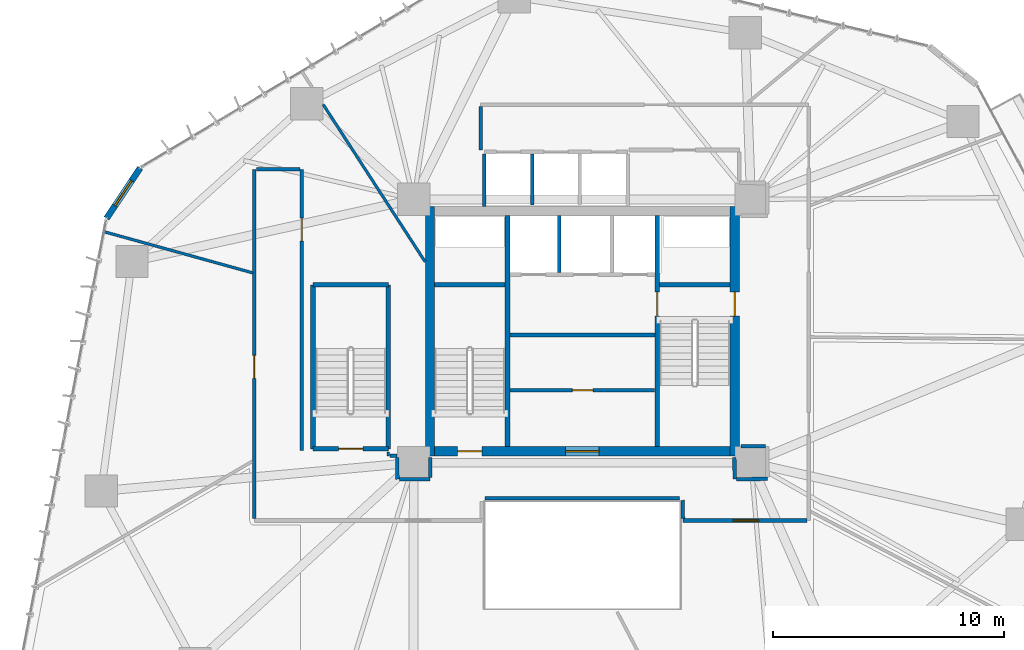
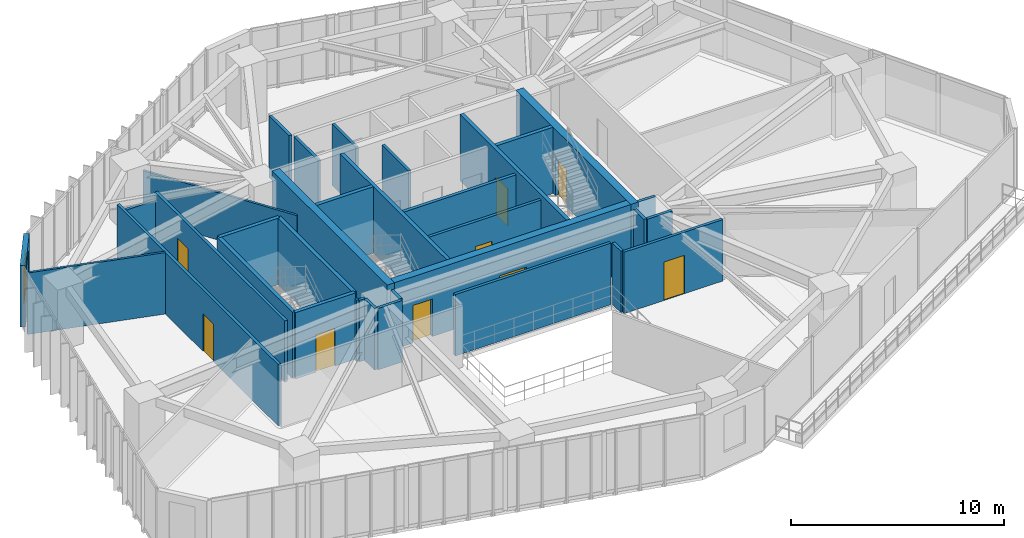
# One storey, part 17 of 23: 34 walls, 9 doors, 1 window, 10 openings.
"""IFC4 building model written with IfcOpenShell, lengths in metres."""

from ifc_helpers import new_model, si_unit, direction, frame, frame_2d, origin, place, context, subcontext, project, spatial, rectangle, extrude, source, transform, mapped, material, layer, layer_set, type_object, type_shapes, element, fill, save


model = new_model("IFC4")

# Units and contexts
model_context = context("Model", 3, precision=1e-05, world=origin(), true_north=direction((0.0, 1.0)))
body_context = subcontext(model_context, "Body", "Model", "MODEL_VIEW")
ifc_project = project(units=[si_unit("LENGTHUNIT", "METRE"), si_unit("AREAUNIT", "SQUARE_METRE"), si_unit("VOLUMEUNIT", "CUBIC_METRE"), si_unit("PLANEANGLEUNIT", "RADIAN"), si_unit("MASSUNIT", "GRAM", prefix="KILO")], contexts=[model_context])

# Site, building, storey
site_placement = place(None, origin())
site = spatial("IfcSite", under=ifc_project, at=site_placement, CompositionType="ELEMENT")
building_placement = place(site_placement, origin())
building = spatial("IfcBuilding", under=site, at=building_placement, Name="Talar Marvaseh", CompositionType="ELEMENT")
storey_placement = place(building_placement, frame((0.0, 0.0, 50.60009765625)))
storey = spatial("IfcBuildingStorey", under=building, at=storey_placement, Name="L12", CompositionType="ELEMENT", Elevation=50.60009765625)

# Wall, opening, window
ifc_material_1 = material(Name="Precast concrete C45/55", Category="concrete")
ifc_layer_1 = layer(ifc_material_1, 0.27001953125)
ifc_layer_set_1 = layer_set([ifc_layer_1], Name="Precast concrete C45/55")
wall_type_1 = type_object("IfcWallType", Name="Chamfered Hexagonal Corner Pier Wall Z1 270", PredefinedType="SOLIDWALL", material=ifc_layer_set_1)
wall_1_placement = place(storey_placement, frame((5.40087890625, 36.07861328125, 0.0), z_axis=(0.0, 0.0, 1.0), x_axis=(0.553711928777, 0.832708292219, 0.0)))
wall_1 = element("IfcWall", 1, at=wall_1_placement, inside=storey, type_object=wall_type_1, Name="L12 Chamfered Corner Limestone Pier 2", PredefinedType="SOLIDWALL", context=body_context, shape_type="SweptSolid", body=[
    extrude(rectangle(XDim=2.62353515625, YDim=0.27001953125, at=frame_2d((1.311767578125, 0.0))), origin(), (0.0, 0.0, 1.0), 3.52001953125),
])
opening_1_placement = place(wall_1_placement, frame((0.662109375, 0.0, 0.89990234375)))
opening_1 = element("IfcOpeningElement", 2, at=opening_1_placement, cuts=wall_1, Name="Opening WN-CHM13", PredefinedType="OPENING", context=body_context, shape_type="SweptSolid", body=[
    extrude(rectangle(XDim=1.300048828125, YDim=2.14990234375, at=frame_2d((0.64990234375, 1.074951171875))), frame((0.0, 0.14501953125, 0.0), z_axis=(0.0, -1.0, 0.0), x_axis=(1.0, 0.0, 0.0)), (0.0, 0.0, 1.0), 0.2900390625),
])
ifc_material_2 = material(Name="Laminated Low-E Solar Glass", Category="glass")
window_type = type_object("IfcWindowType", Name="Zone 1 Chamfered Corner Slot Window 1300x2150", PartitioningType="SINGLE_PANEL", PredefinedType="WINDOW", material=ifc_material_2)
shared_shape_1 = source(origin(), body_context, "Body", "SweptSolid", [
    extrude(rectangle(XDim=1.300048828125, YDim=2.14990234375, at=frame_2d((0.64990234375, 1.074951171875))), frame((0.0, 0.030029296875, 0.0), z_axis=(0.0, -1.0, 0.0), x_axis=(1.0, 0.0, 0.0)), (0.0, 0.0, 1.0), 0.06005859375),
])
type_shapes(window_type, [shared_shape_1])
window_placement = place(opening_1_placement, origin())
window = element("IfcWindow", 3, at=window_placement, inside=storey, type_object=window_type, Name="L12 Chamfered Corner Slot Window", OverallHeight=2.14990234375, OverallWidth=1.300048828125, PartitioningType="SINGLE_PANEL", PredefinedType="WINDOW", context=body_context, shape_type="MappedRepresentation", body=[
    mapped(shared_shape_1, transform((0.0, 0.0, 0.0), x_axis=(1.0, 0.0, 0.0), y_axis=(0.0, 1.0, 0.0), z_axis=(0.0, 0.0, 1.0), scale=1.0)),
])
fill(opening_1, window)

# Wall, opening, door
ifc_material_3 = material(Name="Gypsum Board Partition Assembly")
ifc_layer_2 = layer(ifc_material_3, 0.155029296875)
ifc_layer_set_2 = layer_set([ifc_layer_2], Name="Gypsum Board Partition Assembly")
wall_type_2 = type_object("IfcWallType", Name="Corridor Fire-Rated Acoustic Partition 155", PredefinedType="PARTITIONING", material=ifc_layer_set_2)
wall_2_placement = place(storey_placement, frame((22.865966796875, 28.639892578125, 0.0), z_axis=(0.0, 0.0, 1.0), x_axis=(1.0, 0.0, 0.0)))
wall_2 = element("IfcWall", 4, at=wall_2_placement, inside=storey, type_object=wall_type_2, Name="L12 Core BOH Partition", PredefinedType="PARTITIONING", context=body_context, shape_type="SweptSolid", body=[
    extrude(rectangle(XDim=6.26806640625, YDim=0.155029296875, at=frame_2d((3.134033203125, 0.0))), origin(), (0.0, 0.0, 1.0), 3.52001953125),
])
opening_2_placement = place(wall_2_placement, frame((2.699951171875, 0.0, 0.0)))
opening_2 = element("IfcOpeningElement", 5, at=opening_2_placement, cuts=wall_2, Name="Opening DR-BOH090", PredefinedType="OPENING", context=body_context, shape_type="SweptSolid", body=[
    extrude(rectangle(XDim=0.89990234375, YDim=2.10009765625, at=frame_2d((0.449951171875, 1.050048828125))), frame((0.0, 0.08740234375, 0.0), z_axis=(0.0, -1.0, 0.0), x_axis=(1.0, 0.0, 0.0)), (0.0, 0.0, 1.0), 0.175048828125),
])
ifc_material_4 = material(Name="Fire-Rated Steel Door Leaf", Category="steel")
door_type_1 = type_object("IfcDoorType", Name="Core Back-of-House Service Door 900x2100", OperationType="NOTDEFINED", PredefinedType="DOOR", material=ifc_material_4)
shared_shape_2 = source(origin(), body_context, "Body", "SweptSolid", [
    extrude(rectangle(XDim=0.89990234375, YDim=2.10009765625, at=frame_2d((0.449951171875, 1.050048828125))), frame((0.0, 0.02490234375, 0.0), z_axis=(0.0, -1.0, 0.0), x_axis=(1.0, 0.0, 0.0)), (0.0, 0.0, 1.0), 0.050048828125),
])
type_shapes(door_type_1, [shared_shape_2])
door_1_placement = place(opening_2_placement, origin())
door_1 = element("IfcDoor", 6, at=door_1_placement, inside=storey, type_object=door_type_1, Name="L12 Store Core Central Archive Door", OperationType="SINGLE_SWING_LEFT", OverallHeight=2.10009765625, OverallWidth=0.89990234375, PredefinedType="DOOR", context=body_context, shape_type="MappedRepresentation", body=[
    mapped(shared_shape_2, transform((0.0, 0.0, 0.0), x_axis=(1.0, 0.0, 0.0), y_axis=(0.0, 1.0, 0.0), z_axis=(0.0, 0.0, 1.0), scale=1.0)),
])
fill(opening_2, door_1)

wall_3_placement = place(storey_placement, frame((11.800048828125, 23.08349609375, 0.0), z_axis=(0.0, 0.0, 1.0), x_axis=(0.0, 1.0, 0.0)))
wall_3 = element("IfcWall", 7, at=wall_3_placement, inside=storey, type_object=wall_type_2, Name="L12 Interior Partition Wall", PredefinedType="PARTITIONING", context=body_context, shape_type="SweptSolid", body=[
    extrude(rectangle(XDim=15.116455078125, YDim=0.155029296875, at=frame_2d((7.55810546875, 0.0))), origin(), (0.0, 0.0, 1.0), 3.52001953125),
])
opening_3_placement = place(wall_3_placement, frame((6.06494140625, 0.0, 0.0)))
opening_3 = element("IfcOpeningElement", 8, at=opening_3_placement, cuts=wall_3, Name="Opening DR-RM100", PredefinedType="OPENING", context=body_context, shape_type="SweptSolid", body=[
    extrude(rectangle(XDim=1.0, YDim=2.14990234375, at=frame_2d((0.5, 1.074951171875))), frame((0.0, 0.08740234375, 0.0), z_axis=(0.0, -1.0, 0.0), x_axis=(1.0, 0.0, 0.0)), (0.0, 0.0, 1.0), 0.175048828125),
])
ifc_material_5 = material(Name="Acoustic Engineered Oak Timber", Category="wood")
door_type_2 = type_object("IfcDoorType", Name="Corridor Fire-Rated Gallery Door 1000x2150", OperationType="NOTDEFINED", PredefinedType="DOOR", material=ifc_material_5)
shared_shape_3 = source(origin(), body_context, "Body", "SweptSolid", [
    extrude(rectangle(XDim=1.0, YDim=2.14990234375, at=frame_2d((0.5, 1.074951171875))), frame((0.0, 0.02490234375, 0.0), z_axis=(0.0, -1.0, 0.0), x_axis=(1.0, 0.0, 0.0)), (0.0, 0.0, 1.0), 0.050048828125),
])
type_shapes(door_type_2, [shared_shape_3])
door_2_placement = place(opening_3_placement, origin())
door_2 = element("IfcDoor", 9, at=door_2_placement, inside=storey, type_object=door_type_2, Name="L12 Conservation Laboratory Door", OperationType="SINGLE_SWING_LEFT", OverallHeight=2.14990234375, OverallWidth=1.0, PredefinedType="DOOR", context=body_context, shape_type="MappedRepresentation", body=[
    mapped(shared_shape_3, transform((0.0, 0.0, 0.0), x_axis=(1.0, 0.0, 0.0), y_axis=(0.0, 1.0, 0.0), z_axis=(0.0, 0.0, 1.0), scale=1.0)),
])
fill(opening_3, door_2)

wall_4_placement = place(storey_placement, frame((13.85009765625, 38.199951171875, 0.0), z_axis=(0.0, 0.0, 1.0), x_axis=(0.0, -1.0, 0.0)))
wall_4 = element("IfcWall", 10, at=wall_4_placement, inside=storey, type_object=wall_type_2, Name="L12 Interior Partition Wall", PredefinedType="PARTITIONING", context=body_context, shape_type="SweptSolid", body=[
    extrude(rectangle(XDim=12.179931640625, YDim=0.155029296875, at=frame_2d((6.08984375, 0.0))), origin(), (0.0, 0.0, 1.0), 3.52001953125),
])
opening_4_placement = place(wall_4_placement, frame((2.10595703125, 0.0, 0.0)))
opening_4 = element("IfcOpeningElement", 11, at=opening_4_placement, cuts=wall_4, Name="Opening DR-RM100", PredefinedType="OPENING", context=body_context, shape_type="SweptSolid", body=[
    extrude(rectangle(XDim=1.0, YDim=2.14990234375, at=frame_2d((0.5, 1.074951171875))), frame((0.0, 0.08740234375, 0.0), z_axis=(0.0, -1.0, 0.0), x_axis=(1.0, 0.0, 0.0)), (0.0, 0.0, 1.0), 0.175048828125),
])
door_3_placement = place(opening_4_placement, origin())
door_3 = element("IfcDoor", 12, at=door_3_placement, inside=storey, type_object=door_type_2, Name="L12 Scholars' Registration Reception Door", OperationType="SINGLE_SWING_RIGHT", OverallHeight=2.14990234375, OverallWidth=1.0, PredefinedType="DOOR", context=body_context, shape_type="MappedRepresentation", body=[
    mapped(shared_shape_3, transform((0.0, 0.0, 0.0), x_axis=(1.0, 0.0, 0.0), y_axis=(0.0, 1.0, 0.0), z_axis=(0.0, 0.0, 1.0), scale=1.0)),
])
fill(opening_4, door_3)

wall_5_placement = place(storey_placement, frame((35.716552734375, 23.0, 0.0), z_axis=(0.0, 0.0, 1.0), x_axis=(-1.0, 0.0, 0.0)))
wall_5 = element("IfcWall", 13, at=wall_5_placement, inside=storey, type_object=wall_type_2, Name="L12 Interior Partition Wall", PredefinedType="PARTITIONING", context=body_context, shape_type="SweptSolid", body=[
    extrude(rectangle(XDim=5.3564453125, YDim=0.155029296875, at=frame_2d((2.67822265625, 0.0))), origin(), (0.0, 0.0, 1.0), 3.52001953125),
])
opening_5_placement = place(wall_5_placement, frame((2.08642578125, 0.0, 0.0)))
opening_5 = element("IfcOpeningElement", 14, at=opening_5_placement, cuts=wall_5, Name="Opening DR-RM110", PredefinedType="OPENING", context=body_context, shape_type="SweptSolid", body=[
    extrude(rectangle(XDim=1.10009765625, YDim=2.199951171875, at=frame_2d((0.550048828125, 1.10009765625))), frame((0.0, 0.08740234375, 0.0), z_axis=(0.0, -1.0, 0.0), x_axis=(1.0, 0.0, 0.0)), (0.0, 0.0, 1.0), 0.175048828125),
])
door_type_3 = type_object("IfcDoorType", Name="Assembly and Reading Hall Door 1100x2200", OperationType="NOTDEFINED", PredefinedType="DOOR", material=ifc_material_5)
shared_shape_4 = source(origin(), body_context, "Body", "SweptSolid", [
    extrude(rectangle(XDim=1.10009765625, YDim=2.199951171875, at=frame_2d((0.550048828125, 1.10009765625))), frame((0.0, 0.02490234375, 0.0), z_axis=(0.0, -1.0, 0.0), x_axis=(1.0, 0.0, 0.0)), (0.0, 0.0, 1.0), 0.050048828125),
])
type_shapes(door_type_3, [shared_shape_4])
door_4_placement = place(opening_5_placement, origin())
door_4 = element("IfcDoor", 15, at=door_4_placement, inside=storey, type_object=door_type_3, Name="L12 Gallery Concierge Reception Door", OperationType="SINGLE_SWING_RIGHT", OverallHeight=2.199951171875, OverallWidth=1.10009765625, PredefinedType="DOOR", context=body_context, shape_type="MappedRepresentation", body=[
    mapped(shared_shape_4, transform((0.0, 0.0, 0.0), x_axis=(1.0, 0.0, 0.0), y_axis=(0.0, 1.0, 0.0), z_axis=(0.0, 0.0, 1.0), scale=1.0)),
])
fill(opening_5, door_4)

# Walls
wall_6_placement = place(storey_placement, frame((30.199951171875, 23.9599609375, 0.0), z_axis=(0.0, 0.0, 1.0), x_axis=(-0.999999996213, -8.7029677e-05, 0.0)))
element("IfcWall", 16, at=wall_6_placement, inside=storey, type_object=wall_type_2, Name="L12 Interior Partition Wall", PredefinedType="PARTITIONING", context=body_context, shape_type="SweptSolid", body=[
    extrude(rectangle(XDim=8.415771484375, YDim=0.155029296875, at=frame_2d((4.2080078125, 0.0))), origin(), (0.0, 0.0, 1.0), 3.52001953125),
])
wall_7_placement = place(storey_placement, frame((11.883544921875, 38.199951171875, 0.0), z_axis=(0.0, 0.0, 1.0), x_axis=(1.0, 0.0, 0.0)))
element("IfcWall", 17, at=wall_7_placement, inside=storey, type_object=wall_type_2, Name="L12 Interior Partition Wall", PredefinedType="PARTITIONING", context=body_context, shape_type="SweptSolid", body=[
    extrude(rectangle(XDim=1.883056640625, YDim=0.155029296875, at=frame_2d((0.94140625, 0.0))), origin(), (0.0, 0.0, 1.0), 3.081787109375),
])
wall_8_placement = place(storey_placement, frame((17.666015625, 25.800048828125, 0.0), z_axis=(0.0, 0.0, 1.0), x_axis=(1.0, 0.0, 0.0)))
element("IfcWall", 18, at=wall_8_placement, inside=storey, type_object=wall_type_2, Name="L12 Interior Partition Wall", PredefinedType="PARTITIONING", context=body_context, shape_type="SweptSolid", body=[
    extrude(rectangle(XDim=0.319091796875, YDim=0.155029296875, at=frame_2d((0.15966796875, 0.0))), origin(), (0.0, 0.0, 1.0), 3.52001953125),
])
wall_9_placement = place(storey_placement, frame((17.986083984375, 25.716552734375, 0.0), z_axis=(0.0, 0.0, 1.0), x_axis=(0.013367088724, -0.999910656478, 0.0)))
element("IfcWall", 19, at=wall_9_placement, inside=storey, type_object=wall_type_2, Name="L12 Interior Partition Wall", PredefinedType="PARTITIONING", context=body_context, shape_type="SweptSolid", body=[
    extrude(rectangle(XDim=0.931396484375, YDim=0.155029296875, at=frame_2d((0.4658203125, 0.0))), origin(), (0.0, 0.0, 1.0), 3.52001953125),
])
wall_10_placement = place(storey_placement, frame((18.08203125, 24.78515625, 0.0), z_axis=(0.0, 0.0, 1.0), x_axis=(0.99999830547, 0.001840939443, 0.0)))
element("IfcWall", 20, at=wall_10_placement, inside=storey, type_object=wall_type_2, Name="L12 Interior Partition Wall", PredefinedType="PARTITIONING", context=body_context, shape_type="SweptSolid", body=[
    extrude(rectangle(XDim=1.326171875, YDim=0.155029296875, at=frame_2d((0.6630859375, 0.0))), origin(), (0.0, 0.0, 1.0), 3.52001953125),
])
wall_11_placement = place(storey_placement, frame((19.408935546875, 24.87109375, 0.0), z_axis=(0.0, 0.0, 1.0), x_axis=(0.007106130977, 0.999974751133, 0.0)))
element("IfcWall", 21, at=wall_11_placement, inside=storey, type_object=wall_type_2, Name="L12 Interior Partition Wall", PredefinedType="PARTITIONING", context=body_context, shape_type="SweptSolid", body=[
    extrude(rectangle(XDim=0.85888671875, YDim=0.155029296875, at=frame_2d((0.429443359375, 0.0))), origin(), (0.0, 0.0, 1.0), 3.52001953125),
])
wall_12_placement = place(storey_placement, frame((32.5849609375, 25.72998046875, 0.0), z_axis=(0.0, 0.0, 1.0), x_axis=(0.007253695172, -0.999973691607, 0.0)))
element("IfcWall", 22, at=wall_12_placement, inside=storey, type_object=wall_type_2, Name="L12 Interior Partition Wall", PredefinedType="PARTITIONING", context=body_context, shape_type="SweptSolid", body=[
    extrude(rectangle(XDim=0.9423828125, YDim=0.155029296875, at=frame_2d((0.47119140625, 0.0))), origin(), (0.0, 0.0, 1.0), 3.52001953125),
])
wall_13_placement = place(storey_placement, frame((32.67529296875, 24.788330078125, 0.0), z_axis=(0.0, 0.0, 1.0), x_axis=(0.999961738884, 0.008747614993, 0.0)))
element("IfcWall", 23, at=wall_13_placement, inside=storey, type_object=wall_type_2, Name="L12 Interior Partition Wall", PredefinedType="PARTITIONING", context=body_context, shape_type="SweptSolid", body=[
    extrude(rectangle(XDim=1.339599609375, YDim=0.155029296875, at=frame_2d((0.669921875, 0.0))), origin(), (0.0, 0.0, 1.0), 3.52001953125),
])
wall_14_placement = place(storey_placement, frame((33.927978515625, 26.2099609375, 0.0), z_axis=(0.0, 0.0, 1.0), x_axis=(-0.999988255797, 0.004846469737, 0.0)))
element("IfcWall", 24, at=wall_14_placement, inside=storey, type_object=wall_type_2, Name="L12 Interior Partition Wall", PredefinedType="PARTITIONING", context=body_context, shape_type="SweptSolid", body=[
    extrude(rectangle(XDim=1.057861328125, YDim=0.155029296875, at=frame_2d((0.52880859375, 0.0))), origin(), (0.0, 0.0, 1.0), 3.52001953125),
])
wall_15_placement = place(storey_placement, frame((21.60009765625, 39.0400390625, 0.0), z_axis=(0.0, 0.0, 1.0), x_axis=(0.0, 1.0, 0.0)))
element("IfcWall", 25, at=wall_15_placement, inside=storey, type_object=wall_type_2, Name="L12 Interior Partition Wall", PredefinedType="PARTITIONING", context=body_context, shape_type="SweptSolid", body=[
    extrude(rectangle(XDim=1.87646484375, YDim=0.155029296875, at=frame_2d((0.938232421875, 0.0))), origin(), (0.0, 0.0, 1.0), 3.52001953125),
])
wall_16_placement = place(storey_placement, frame((30.358154296875, 23.08349609375, 0.0), z_axis=(0.0, 0.0, 1.0), x_axis=(-0.021573276475, 0.999767269789, 0.0)))
element("IfcWall", 26, at=wall_16_placement, inside=storey, type_object=wall_type_2, Name="L12 Interior Partition Wall", PredefinedType="PARTITIONING", context=body_context, shape_type="SweptSolid", body=[
    extrude(rectangle(XDim=0.792236328125, YDim=0.155029296875, at=frame_2d((0.39599609375, 0.0))), origin(), (0.0, 0.0, 1.0), 3.52001953125),
])
ifc_layer_3 = layer(ifc_material_3, 0.1201171875)
ifc_layer_set_3 = layer_set([ifc_layer_3], Name="Gypsum Board Partition Assembly")
wall_type_3 = type_object("IfcWallType", Name="Demountable Studio Room Partition 120", PredefinedType="PARTITIONING", material=ifc_layer_set_3)
wall_17_placement = place(storey_placement, frame((17.60009765625, 25.96240234375, 0.0), z_axis=(0.0, 0.0, 1.0), x_axis=(0.0, -1.0, 0.0)))
element("IfcWall", 27, at=wall_17_placement, inside=storey, type_object=wall_type_3, Name="L12 Interior Partition Wall", PredefinedType="PARTITIONING", context=body_context, shape_type="SweptSolid", body=[
    extrude(rectangle(XDim=0.1748046875, YDim=0.1201171875, at=frame_2d((0.08740234375, 0.0))), origin(), (0.0, 0.0, 1.0), 3.52001953125),
])
wall_18_placement = place(storey_placement, frame((19.194091796875, 34.19921875, 0.0), z_axis=(0.0, 0.0, 1.0), x_axis=(-0.543866033872, 0.839172054587, 0.0)))
element("IfcWall", 28, at=wall_18_placement, inside=storey, type_object=wall_type_3, Name="L12 Interior Partition Wall", PredefinedType="PARTITIONING", context=body_context, shape_type="SweptSolid", body=[
    extrude(rectangle(XDim=8.115966796875, YDim=0.1201171875, at=frame_2d((4.05810546875, 0.0))), origin(), (0.0, 0.0, 1.0), 2.721923828125),
])
wall_19_placement = place(storey_placement, frame((11.7373046875, 33.71728515625, 0.0), z_axis=(0.0, 0.0, 1.0), x_axis=(-0.963728428602, 0.266884836408, 0.0)))
element("IfcWall", 29, at=wall_19_placement, inside=storey, type_object=wall_type_3, Name="L12 Interior Partition Wall", PredefinedType="PARTITIONING", context=body_context, shape_type="SweptSolid", body=[
    extrude(rectangle(XDim=6.669677734375, YDim=0.1201171875, at=frame_2d((3.3349609375, 0.0))), origin(), (0.0, 0.0, 1.0), 3.52001953125),
])
ifc_layer_4 = layer(ifc_material_1, 0.14501953125)
ifc_layer_set_4 = layer_set([ifc_layer_4], Name="Precast concrete C45/55")
wall_type_4 = type_object("IfcWallType", Name="Fire-Rated Lift Divider Wall 145", PredefinedType="SOLIDWALL", material=ifc_layer_set_4)
wall_20_placement = place(storey_placement, frame((25.0, 33.743408203125, 0.0), z_axis=(0.0, 0.0, 1.0), x_axis=(0.0, 1.0, 0.0)))
element("IfcWall", 30, at=wall_20_placement, inside=storey, type_object=wall_type_4, Name="L12 FFL-1/FFL-2 Divider", PredefinedType="SOLIDWALL", context=body_context, shape_type="SweptSolid", body=[
    extrude(rectangle(XDim=2.45654296875, YDim=0.14501953125, at=frame_2d((1.228271484375, 0.0))), origin(), (0.0, 0.0, 1.0), 3.52001953125),
])
wall_21_placement = place(storey_placement, frame((21.760009765625, 36.60009765625, 0.0), z_axis=(0.0, 0.0, 1.0), x_axis=(0.0, 1.0, 0.0)))
element("IfcWall", 31, at=wall_21_placement, inside=storey, type_object=wall_type_4, Name="L12 Low-Rise Bank West Wall", PredefinedType="SOLIDWALL", context=body_context, shape_type="SweptSolid", body=[
    extrude(rectangle(XDim=2.266357421875, YDim=0.14501953125, at=frame_2d((1.13330078125, 0.0))), origin(), (0.0, 0.0, 1.0), 3.52001953125),
])
wall_22_placement = place(storey_placement, frame((23.830078125, 36.659912109375, 0.0), z_axis=(0.0, 0.0, 1.0), x_axis=(0.0, 1.0, 0.0)))
element("IfcWall", 32, at=wall_22_placement, inside=storey, type_object=wall_type_4, Name="L12 PL-L1/PL-L2 Divider", PredefinedType="SOLIDWALL", context=body_context, shape_type="SweptSolid", body=[
    extrude(rectangle(XDim=2.20654296875, YDim=0.14501953125, at=frame_2d((1.103271484375, 0.0))), origin(), (0.0, 0.0, 1.0), 3.52001953125),
])
ifc_layer_5 = layer(ifc_material_1, 0.175048828125)
ifc_layer_set_5 = layer_set([ifc_layer_5], Name="Precast concrete C45/55")
wall_type_5 = type_object("IfcWallType", Name="Fire-Rated Lift Hoistway Enclosure Wall 175", PredefinedType="SOLIDWALL", material=ifc_layer_set_5)
wall_23_placement = place(storey_placement, frame((22.860107421875, 31.02001953125, 0.0), z_axis=(0.0, 0.0, 1.0), x_axis=(1.0, 0.0, 0.0)))
element("IfcWall", 33, at=wall_23_placement, inside=storey, type_object=wall_type_5, Name="L12 Firefighting Lobby South Smoke Wall", PredefinedType="SOLIDWALL", context=body_context, shape_type="SweptSolid", body=[
    extrude(rectangle(XDim=6.27978515625, YDim=0.175048828125, at=frame_2d((3.139892578125, 0.0))), origin(), (0.0, 0.0, 1.0), 3.52001953125),
])
ifc_material_6 = material(Name="Concrete C70/85", Category="concrete")
ifc_layer_6 = layer(ifc_material_6, 0.39990234375)
ifc_layer_set_6 = layer_set([ifc_layer_6], Name="Concrete C70/85")
wall_type_6 = type_object("IfcWallType", Name="Lower Core Reinforced Concrete Shear Wall 400", PredefinedType="SHEAR", material=ifc_layer_set_6)
wall_24_placement = place(storey_placement, frame((19.39990234375, 25.800048828125, 0.0), z_axis=(0.0, 0.0, 1.0), x_axis=(0.0, 1.0, 0.0)))
element("IfcWall", 34, at=wall_24_placement, inside=storey, type_object=wall_type_6, Name="L12 West Core Shear Wall", PredefinedType="SHEAR", context=body_context, shape_type="SweptSolid", body=[
    extrude(rectangle(XDim=10.800048828125, YDim=0.39990234375, at=frame_2d((5.39990234375, 0.0))), origin(), (0.0, 0.0, 1.0), 3.7998046875),
])

# Wall, opening, door
wall_25_placement = place(storey_placement, frame((32.60009765625, 36.60009765625, 0.0), z_axis=(0.0, 0.0, 1.0), x_axis=(0.0, -1.0, 0.0)))
wall_25 = element("IfcWall", 35, at=wall_25_placement, inside=storey, type_object=wall_type_6, Name="L12 East Core Shear Wall", PredefinedType="SHEAR", context=body_context, shape_type="SweptSolid", body=[
    extrude(rectangle(XDim=10.800048828125, YDim=0.39990234375, at=frame_2d((5.39990234375, 0.0))), origin(), (0.0, 0.0, 1.0), 3.7998046875),
])
opening_6_placement = place(wall_25_placement, frame((3.699951171875, 0.0, 0.0)))
opening_6 = element("IfcOpeningElement", 36, at=opening_6_placement, cuts=wall_25, Name="Opening DR-ST105", PredefinedType="OPENING", context=body_context, shape_type="SweptSolid", body=[
    extrude(rectangle(XDim=1.050048828125, YDim=2.14990234375, at=frame_2d((0.52490234375, 1.074951171875))), frame((0.0, 0.2099609375, 0.0), z_axis=(0.0, -1.0, 0.0), x_axis=(1.0, 0.0, 0.0)), (0.0, 0.0, 1.0), 0.419921875),
])
door_type_4 = type_object("IfcDoorType", Name="Protected Exit Stair Fire Door 1050x2150", OperationType="NOTDEFINED", PredefinedType="DOOR", material=ifc_material_4)
shared_shape_5 = source(origin(), body_context, "Body", "SweptSolid", [
    extrude(rectangle(XDim=1.050048828125, YDim=2.14990234375, at=frame_2d((0.52490234375, 1.074951171875))), frame((0.0, 0.02490234375, 0.0), z_axis=(0.0, -1.0, 0.0), x_axis=(1.0, 0.0, 0.0)), (0.0, 0.0, 1.0), 0.050048828125),
])
type_shapes(door_type_4, [shared_shape_5])
door_5_placement = place(opening_6_placement, origin())
door_5 = element("IfcDoor", 37, at=door_5_placement, inside=storey, type_object=door_type_4, Name="L12 Stair ST-2 Corridor Exit Door", OperationType="SINGLE_SWING_LEFT", OverallHeight=2.14990234375, OverallWidth=1.050048828125, PredefinedType="DOOR", context=body_context, shape_type="MappedRepresentation", body=[
    mapped(shared_shape_5, transform((0.0, 0.0, 0.0), x_axis=(1.0, 0.0, 0.0), y_axis=(0.0, 1.0, 0.0), z_axis=(0.0, 0.0, 1.0), scale=1.0)),
])
fill(opening_6, door_5)

# Wall, openings, doors
wall_26_placement = place(storey_placement, frame((32.39990234375, 26.0, 0.0), z_axis=(0.0, 0.0, 1.0), x_axis=(-1.0, 0.0, 0.0)))
wall_26 = element("IfcWall", 38, at=wall_26_placement, inside=storey, type_object=wall_type_6, Name="L12 South Core Shear Wall", PredefinedType="SHEAR", context=body_context, shape_type="SweptSolid", body=[
    extrude(rectangle(XDim=12.7998046875, YDim=0.39990234375, at=frame_2d((6.39990234375, 0.0))), origin(), (0.0, 0.0, 1.0), 3.7998046875),
])
opening_7_placement = place(wall_26_placement, frame((10.75, 0.0, 0.0)))
opening_7 = element("IfcOpeningElement", 39, at=opening_7_placement, cuts=wall_26, Name="Opening DR-ST105", PredefinedType="OPENING", context=body_context, shape_type="SweptSolid", body=[
    extrude(rectangle(XDim=1.050048828125, YDim=2.14990234375, at=frame_2d((0.52490234375, 1.074951171875))), frame((0.0, 0.2099609375, 0.0), z_axis=(0.0, -1.0, 0.0), x_axis=(1.0, 0.0, 0.0)), (0.0, 0.0, 1.0), 0.419921875),
])
opening_8_placement = place(wall_26_placement, frame((5.669921875, 0.0, 0.0)))
opening_8 = element("IfcOpeningElement", 40, at=opening_8_placement, cuts=wall_26, Name="Opening DR-LBY145", PredefinedType="OPENING", context=body_context, shape_type="SweptSolid", body=[
    extrude(rectangle(XDim=1.449951171875, YDim=2.199951171875, at=frame_2d((0.72509765625, 1.10009765625))), frame((0.0, 0.2099609375, 0.0), z_axis=(0.0, -1.0, 0.0), x_axis=(1.0, 0.0, 0.0)), (0.0, 0.0, 1.0), 0.419921875),
])
door_6_placement = place(opening_7_placement, origin())
door_6 = element("IfcDoor", 41, at=door_6_placement, inside=storey, type_object=door_type_4, Name="L12 Stair ST-1 Exit Door", OperationType="SINGLE_SWING_RIGHT", OverallHeight=2.14990234375, OverallWidth=1.050048828125, PredefinedType="DOOR", context=body_context, shape_type="MappedRepresentation", body=[
    mapped(shared_shape_5, transform((0.0, 0.0, 0.0), x_axis=(1.0, 0.0, 0.0), y_axis=(0.0, 1.0, 0.0), z_axis=(0.0, 0.0, 1.0), scale=1.0)),
])
fill(opening_7, door_6)
door_type_5 = type_object("IfcDoorType", Name="Core Lift Lobby Double Smoke Door 1450x2200", OperationType="NOTDEFINED", PredefinedType="DOOR", material=ifc_material_4)
shared_shape_6 = source(origin(), body_context, "Body", "SweptSolid", [
    extrude(rectangle(XDim=1.449951171875, YDim=2.199951171875, at=frame_2d((0.72509765625, 1.10009765625))), frame((0.0, 0.02490234375, 0.0), z_axis=(0.0, -1.0, 0.0), x_axis=(1.0, 0.0, 0.0)), (0.0, 0.0, 1.0), 0.050048828125),
])
type_shapes(door_type_5, [shared_shape_6])
door_7_placement = place(opening_8_placement, origin())
door_7 = element("IfcDoor", 42, at=door_7_placement, inside=storey, type_object=door_type_5, Name="L12 Passenger Lift Lobby Entrance Door", OperationType="DOUBLE_DOOR_SINGLE_SWING", OverallHeight=2.199951171875, OverallWidth=1.449951171875, PredefinedType="DOOR", context=body_context, shape_type="MappedRepresentation", body=[
    mapped(shared_shape_6, transform((0.0, 0.0, 0.0), x_axis=(1.0, 0.0, 0.0), y_axis=(0.0, 1.0, 0.0), z_axis=(0.0, 0.0, 1.0), scale=1.0)),
])
fill(opening_8, door_7)

# Wall
ifc_material_7 = material(Name="Concrete C50/60", Category="concrete")
ifc_layer_7 = layer(ifc_material_7, 0.199951171875)
ifc_layer_set_7 = layer_set([ifc_layer_7], Name="Concrete C50/60")
wall_type_7 = type_object("IfcWallType", Name="Stair Shaft Structural Concrete Shear Wall 200", PredefinedType="SHEAR", material=ifc_layer_set_7)
wall_27_placement = place(storey_placement, frame((22.760009765625, 26.199951171875, 0.0), z_axis=(0.0, 0.0, 1.0), x_axis=(0.0, 1.0, 0.0)))
element("IfcWall", 43, at=wall_27_placement, inside=storey, type_object=wall_type_7, Name="L12 Core West Stair Shear Wall", PredefinedType="SHEAR", context=body_context, shape_type="SweptSolid", body=[
    extrude(rectangle(XDim=10.0, YDim=0.199951171875, at=frame_2d((5.0, 0.0))), origin(), (0.0, 0.0, 1.0), 3.7998046875),
])

# Wall, opening, door
wall_28_placement = place(storey_placement, frame((29.239990234375, 26.199951171875, 0.0), z_axis=(0.0, 0.0, 1.0), x_axis=(0.0, 1.0, 0.0)))
wall_28 = element("IfcWall", 44, at=wall_28_placement, inside=storey, type_object=wall_type_7, Name="L12 Core East Stair Shear Wall", PredefinedType="SHEAR", context=body_context, shape_type="SweptSolid", body=[
    extrude(rectangle(XDim=10.0, YDim=0.199951171875, at=frame_2d((5.0, 0.0))), origin(), (0.0, 0.0, 1.0), 3.7998046875),
])
opening_9_placement = place(wall_28_placement, frame((5.64990234375, 0.0, 0.0)))
opening_9 = element("IfcOpeningElement", 45, at=opening_9_placement, cuts=wall_28, Name="Opening DR-ST105", PredefinedType="OPENING", context=body_context, shape_type="SweptSolid", body=[
    extrude(rectangle(XDim=1.050048828125, YDim=2.14990234375, at=frame_2d((0.52490234375, 1.074951171875))), frame((0.0, 0.10986328125, 0.0), z_axis=(0.0, -1.0, 0.0), x_axis=(1.0, 0.0, 0.0)), (0.0, 0.0, 1.0), 0.219970703125),
])
door_8_placement = place(opening_9_placement, origin())
door_8 = element("IfcDoor", 46, at=door_8_placement, inside=storey, type_object=door_type_4, Name="L12 Firefighting Lobby to Stair ST-2 Door", OperationType="SINGLE_SWING_LEFT", OverallHeight=2.14990234375, OverallWidth=1.050048828125, PredefinedType="DOOR", context=body_context, shape_type="MappedRepresentation", body=[
    mapped(shared_shape_5, transform((0.0, 0.0, 0.0), x_axis=(1.0, 0.0, 0.0), y_axis=(0.0, 1.0, 0.0), z_axis=(0.0, 0.0, 1.0), scale=1.0)),
])
fill(opening_9, door_8)

# Walls
for number, where, z_axis, x_axis, name in (
    (47, (19.60009765625, 33.199951171875, 0.0), (0.0, 0.0, 1.0), (1.0, 0.0, 0.0), "L12 Stair ST-1 North Shear Wall"),
    (48, (29.340087890625, 33.199951171875, 0.0), (0.0, 0.0, 1.0), (1.0, 0.0, 0.0), "L12 Stair ST-2 North Shear Wall"),
):
    element("IfcWall", number, at=place(storey_placement, frame(where, z_axis=z_axis, x_axis=x_axis)), inside=storey, type_object=wall_type_7, Name=name, PredefinedType="SHEAR", context=body_context, shape_type="SweptSolid", body=[
        extrude(rectangle(XDim=3.059814453125, YDim=0.199951171875, at=frame_2d((1.52978515625, 0.0))), origin(), (0.0, 0.0, 1.0), 3.7998046875),
    ])

# Wall, opening, door
wall_29_placement = place(storey_placement, frame((17.60009765625, 26.10009765625, 0.0), z_axis=(0.0, 0.0, 1.0), x_axis=(-1.0, 0.0, 0.0)))
wall_29 = element("IfcWall", 49, at=wall_29_placement, inside=storey, type_object=wall_type_7, Name="L12 Stair ST-3 South Shear Wall", PredefinedType="SHEAR", context=body_context, shape_type="SweptSolid", body=[
    extrude(rectangle(XDim=3.260009765625, YDim=0.199951171875, at=frame_2d((1.6298828125, 0.0))), origin(), (0.0, 0.0, 1.0), 3.7998046875),
])
opening_10_placement = place(wall_29_placement, frame((1.10009765625, 0.0, 0.0)))
opening_10 = element("IfcOpeningElement", 50, at=opening_10_placement, cuts=wall_29, Name="Opening DR-ST105", PredefinedType="OPENING", context=body_context, shape_type="SweptSolid", body=[
    extrude(rectangle(XDim=1.050048828125, YDim=2.14990234375, at=frame_2d((0.52490234375, 1.074951171875))), frame((0.0, 0.10986328125, 0.0), z_axis=(0.0, -1.0, 0.0), x_axis=(1.0, 0.0, 0.0)), (0.0, 0.0, 1.0), 0.219970703125),
])
door_9_placement = place(opening_10_placement, origin())
door_9 = element("IfcDoor", 51, at=door_9_placement, inside=storey, type_object=door_type_4, Name="L12 Stair ST-3 Exit Door", OperationType="SINGLE_SWING_LEFT", OverallHeight=2.14990234375, OverallWidth=1.050048828125, PredefinedType="DOOR", context=body_context, shape_type="MappedRepresentation", body=[
    mapped(shared_shape_5, transform((0.0, 0.0, 0.0), x_axis=(1.0, 0.0, 0.0), y_axis=(0.0, 1.0, 0.0), z_axis=(0.0, 0.0, 1.0), scale=1.0)),
])
fill(opening_10, door_9)

# Walls
wall_30_placement = place(storey_placement, frame((14.340087890625, 33.199951171875, 0.0), z_axis=(0.0, 0.0, 1.0), x_axis=(1.0, 0.0, 0.0)))
element("IfcWall", 52, at=wall_30_placement, inside=storey, type_object=wall_type_7, Name="L12 Stair ST-3 North Shear Wall", PredefinedType="SHEAR", context=body_context, shape_type="SweptSolid", body=[
    extrude(rectangle(XDim=3.260009765625, YDim=0.199951171875, at=frame_2d((1.6298828125, 0.0))), origin(), (0.0, 0.0, 1.0), 3.7998046875),
])
for number, where, z_axis, x_axis, name in (
    (53, (14.340087890625, 26.10009765625, 0.0), (0.0, 0.0, 1.0), (0.0, 1.0, 0.0), "L12 Stair ST-3 West Shear Wall"),
    (54, (17.60009765625, 26.10009765625, 0.0), (0.0, 0.0, 1.0), (0.0, 1.0, 0.0), "L12 Stair ST-3 East Shear Wall"),
):
    element("IfcWall", number, at=place(storey_placement, frame(where, z_axis=z_axis, x_axis=x_axis)), inside=storey, type_object=wall_type_7, Name=name, PredefinedType="SHEAR", context=body_context, shape_type="SweptSolid", body=[
        extrude(rectangle(XDim=7.099853515625, YDim=0.199951171875, at=frame_2d((3.5498046875, 0.0))), origin(), (0.0, 0.0, 1.0), 3.7998046875),
    ])

save(model, "model.ifc")
